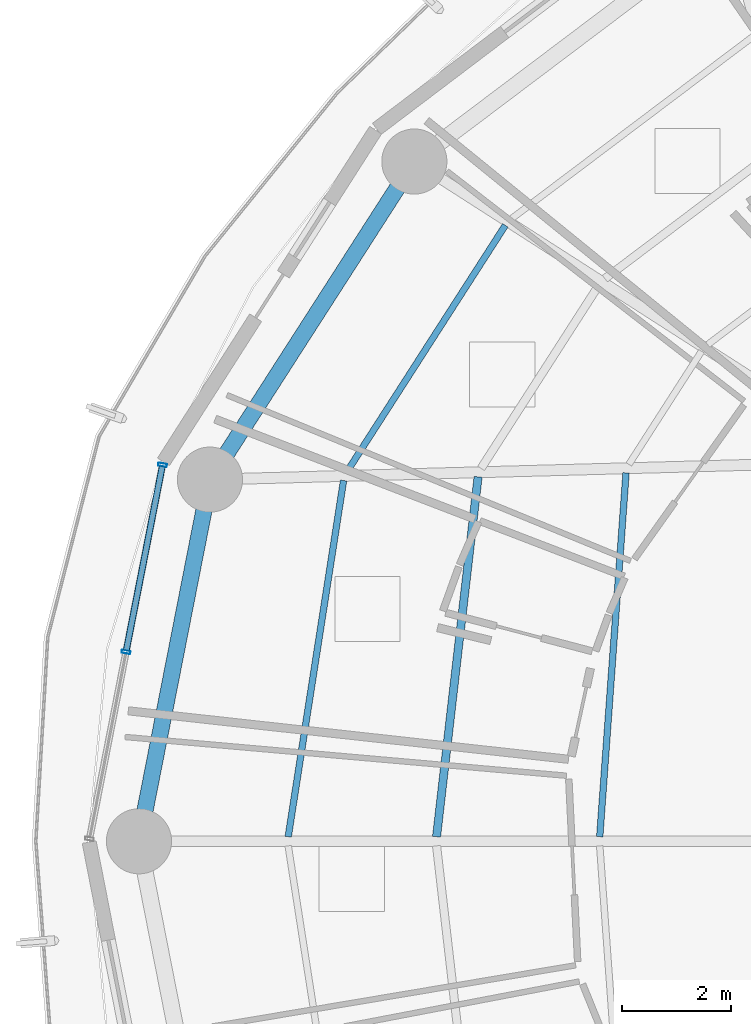
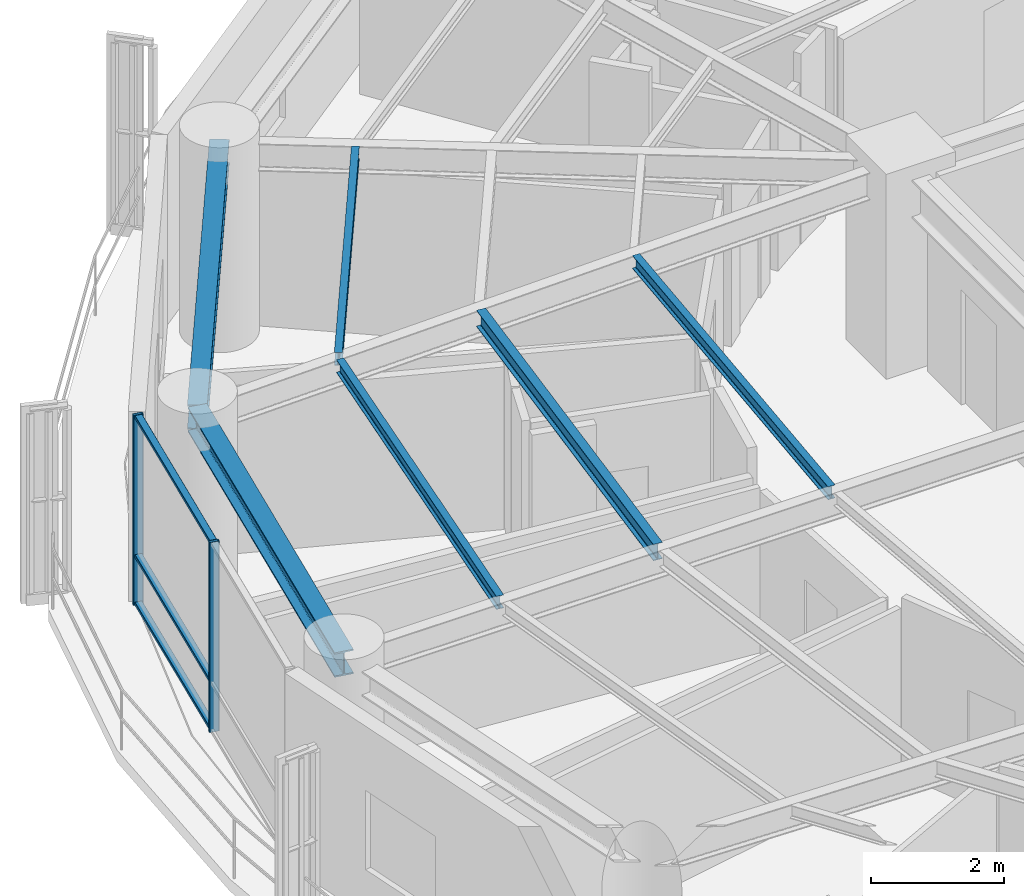
# One storey, part 8 of 27: 6 beams, 5 members, 1 element without a shape of its own.
"""IFC4 building model written with IfcOpenShell, lengths in metres."""

from ifc_helpers import new_model, si_unit, direction, frame, origin, origin_2d, place, context, subcontext, project, spatial, hollow_rectangle, i_section, extrude, material, layer, layer_set, material_profile, profile_set, type_object, element, aggregate, save


model = new_model("IFC4")

# Units and contexts
model_context = context("Model", 3, precision=1e-05, world=origin(), true_north=direction((0.0, 1.0)))
body_context = subcontext(model_context, "Body", "Model", "MODEL_VIEW")
ifc_project = project(units=[si_unit("LENGTHUNIT", "METRE"), si_unit("AREAUNIT", "SQUARE_METRE"), si_unit("VOLUMEUNIT", "CUBIC_METRE"), si_unit("PLANEANGLEUNIT", "RADIAN"), si_unit("MASSUNIT", "GRAM", prefix="KILO")], contexts=[model_context])

# Site, building, storey
site_placement = place(None, origin())
site = spatial("IfcSite", under=ifc_project, at=site_placement, CompositionType="ELEMENT")
building_placement = place(site_placement, origin())
building = spatial("IfcBuilding", under=site, at=building_placement, Name="Kelanora Arch Commons", CompositionType="ELEMENT")
storey_placement = place(building_placement, frame((0.0, 0.0, 165.60009765625)))
storey = spatial("IfcBuildingStorey", under=building, at=storey_placement, Name="L42", CompositionType="ELEMENT", Elevation=165.60009765625)

# Beams
ifc_material_1 = material(Name="Steel S355", Category="steel")
ifc_material_profile_1 = material_profile(ifc_material_1, i_section(OverallWidth=0.14990234375, OverallDepth=0.300048828125, WebThickness=0.007080078125, FlangeThickness=0.0107421875, FilletRadius=0.014892578125, at=origin_2d()), Name="IPE300")
ifc_profile_set_1 = profile_set([ifc_material_profile_1], Name="Steel S355")
beam_type_1 = type_object("IfcBeamType", Name="BM-JST-01", PredefinedType="JOIST", material=ifc_profile_set_1)
beam_1_placement = place(storey_placement, frame((58.56689453125, 64.713134765625, 3.33984375), z_axis=(-0.114667159005, -0.9934039675, 0.0), x_axis=(0.9934039675, -0.114667159005, 0.0)))
element("IfcBeam", 1, at=beam_1_placement, inside=storey, type_object=beam_type_1, Name="Secondary Chord Joist BJB-16 L42", PredefinedType="JOIST", context=body_context, shape_type="SweptSolid", body=[
    extrude(i_section(OverallWidth=0.14990234375, OverallDepth=0.300048828125, WebThickness=0.007080078125, FlangeThickness=0.0107421875, FilletRadius=0.014892578125, at=origin_2d()), origin(), (0.0, 0.0, 1.0), 6.672607421875),
])
ifc_material_profile_2 = material_profile(ifc_material_1, i_section(OverallWidth=0.1201171875, OverallDepth=0.239990234375, WebThickness=0.006103515625, FlangeThickness=0.009765625, FilletRadius=0.014892578125, at=origin_2d()), Name="IPE240")
ifc_profile_set_2 = profile_set([ifc_material_profile_2], Name="Steel S355")
beam_type_2 = type_object("IfcBeamType", Name="BM-JST-02", PredefinedType="JOIST", material=ifc_profile_set_2)
beam_2_placement = place(storey_placement, frame((59.06787109375, 69.345703125, 3.369873046875), z_axis=(-0.540581678156, -0.841291536414, 0.0), x_axis=(0.841291536414, -0.540581678156, 0.0)))
element("IfcBeam", 2, at=beam_2_placement, inside=storey, type_object=beam_type_2, Name="Secondary Chord Joist BJC-14 L42", PredefinedType="JOIST", context=body_context, shape_type="SweptSolid", body=[
    extrude(i_section(OverallWidth=0.1201171875, OverallDepth=0.239990234375, WebThickness=0.006103515625, FlangeThickness=0.009765625, FilletRadius=0.014892578125, at=origin_2d()), origin(), (0.0, 0.0, 1.0), 5.4013671875),
])
beam_3_placement = place(storey_placement, frame((61.292236328125, 64.787109375, 3.369873046875), z_axis=(-0.072117123738, -0.997396170267, 0.0), x_axis=(0.997396170267, -0.072117123738, 0.0)))
element("IfcBeam", 3, at=beam_3_placement, inside=storey, type_object=beam_type_2, Name="Secondary Chord Joist BJA-16 L42", PredefinedType="JOIST", context=body_context, shape_type="SweptSolid", body=[
    extrude(i_section(OverallWidth=0.1201171875, OverallDepth=0.239990234375, WebThickness=0.006103515625, FlangeThickness=0.009765625, FilletRadius=0.014892578125, at=origin_2d()), origin(), (0.0, 0.0, 1.0), 6.719970703125),
])
beam_4_placement = place(storey_placement, frame((56.0888671875, 64.64599609375, 3.369873046875), z_axis=(-0.153562625853, -0.988138917329, 0.0), x_axis=(0.988138917329, -0.153562625853, 0.0)))
element("IfcBeam", 4, at=beam_4_placement, inside=storey, type_object=beam_type_2, Name="Secondary Chord Joist BJC-16 L42", PredefinedType="JOIST", context=body_context, shape_type="SweptSolid", body=[
    extrude(i_section(OverallWidth=0.1201171875, OverallDepth=0.239990234375, WebThickness=0.006103515625, FlangeThickness=0.009765625, FilletRadius=0.014892578125, at=origin_2d()), origin(), (0.0, 0.0, 1.0), 6.640869140625),
])
ifc_material_profile_3 = material_profile(ifc_material_1, i_section(OverallWidth=0.300048828125, OverallDepth=0.449951171875, WebThickness=0.013916015625, FlangeThickness=0.02587890625, FilletRadius=0.027099609375, at=origin_2d()), Name="HEB450")
ifc_profile_set_3 = profile_set([ifc_material_profile_3], Name="Steel S355")
beam_type_3 = type_object("IfcBeamType", Name="BM-SPN-Z3", PredefinedType="SPANDREL", material=ifc_profile_set_3)
beam_5_placement = place(storey_placement, frame((57.39208984375, 70.521484375, 3.264892578125), z_axis=(-0.540576852469, -0.841294637196, 0.0), x_axis=(0.841294637196, -0.540576852469, 0.0)))
element("IfcBeam", 5, at=beam_5_placement, inside=storey, type_object=beam_type_3, Name="Perimeter Spandrel Beam BS-14 L42", PredefinedType="SPANDREL", context=body_context, shape_type="SweptSolid", body=[
    extrude(i_section(OverallWidth=0.300048828125, OverallDepth=0.449951171875, WebThickness=0.013916015625, FlangeThickness=0.02587890625, FilletRadius=0.027099609375, at=origin_2d()), origin(), (0.0, 0.0, 1.0), 6.964111328125),
])
beam_6_placement = place(storey_placement, frame((53.62744140625, 64.66259765625, 3.264892578125), z_axis=(-0.192553643556, -0.981286448675, 0.0), x_axis=(0.981286448675, -0.192553643556, 0.0)))
element("IfcBeam", 6, at=beam_6_placement, inside=storey, type_object=beam_type_3, Name="Perimeter Spandrel Beam BS-16 L42", PredefinedType="SPANDREL", context=body_context, shape_type="SweptSolid", body=[
    extrude(i_section(OverallWidth=0.300048828125, OverallDepth=0.449951171875, WebThickness=0.013916015625, FlangeThickness=0.02587890625, FilletRadius=0.027099609375, at=origin_2d()), origin(), (0.0, 0.0, 1.0), 6.78955078125),
])

# Curtain wall, members
ifc_material_2 = material(Name="Terracotta ceramic-fritted low-E glass and aluminium", Category="masonry")
ifc_layer = layer(ifc_material_2, 0.175048828125)
ifc_layer_set = layer_set([ifc_layer], Name="Terracotta ceramic-fritted low-E glass and aluminium")
curtain_wall_type = type_object("IfcCurtainWallType", Name="CW-SYS-02", PredefinedType="NOTDEFINED", material=ifc_layer_set)
curtain_wall_placement = place(storey_placement, origin())
curtain_wall = element("IfcCurtainWall", 7, at=curtain_wall_placement, inside=storey, type_object=curtain_wall_type, Name="Unitised Curtain Wall L42-B08", PredefinedType="NOTDEFINED")
ifc_material_3 = material(Name="Powder-coated aluminium terracotta", Category="masonry")
ifc_material_profile_4 = material_profile(ifc_material_3, hollow_rectangle(XDim=0.159912109375, YDim=0.06005859375, WallThickness=0.0048828125, InnerFilletRadius=0.0048828125, OuterFilletRadius=0.010009765625, at=origin_2d()), Name="CWM160x60")
ifc_profile_set_4 = profile_set([ifc_material_profile_4], Name="Powder-coated aluminium terracotta")
member_type_1 = type_object("IfcMemberType", Name="CWM-STD", PredefinedType="MULLION", material=ifc_profile_set_4)
member_1_placement = place(storey_placement, frame((52.754150390625, 64.93310546875, 0.0), z_axis=(0.0, 0.0, 1.0), x_axis=(0.981452557718, -0.191705182375, 0.0)))
member_1 = element("IfcMember", 8, at=member_1_placement, type_object=member_type_1, Name="CW-02 mullion 1", PredefinedType="MULLION", context=body_context, shape_type="SweptSolid", body=[
    extrude(hollow_rectangle(XDim=0.159912109375, YDim=0.06005859375, WallThickness=0.0048828125, InnerFilletRadius=0.0048828125, OuterFilletRadius=0.010009765625, at=origin_2d()), origin(), (0.0, 0.0, 1.0), 3.474853515625),
])
member_2_placement = place(storey_placement, frame((52.08154296875, 61.488525390625, 0.0), z_axis=(0.0, 0.0, 1.0), x_axis=(0.981452557718, -0.191705182375, 0.0)))
member_2 = element("IfcMember", 9, at=member_2_placement, type_object=member_type_1, Name="CW-02 mullion 2", PredefinedType="MULLION", context=body_context, shape_type="SweptSolid", body=[
    extrude(hollow_rectangle(XDim=0.159912109375, YDim=0.06005859375, WallThickness=0.0048828125, InnerFilletRadius=0.0048828125, OuterFilletRadius=0.010009765625, at=origin_2d()), origin(), (0.0, 0.0, 1.0), 3.474853515625),
])
ifc_material_profile_5 = material_profile(ifc_material_3, hollow_rectangle(XDim=0.1201171875, YDim=0.06005859375, WallThickness=0.0048828125, InnerFilletRadius=0.0048828125, OuterFilletRadius=0.010009765625, at=origin_2d()), Name="CWT120x60")
ifc_profile_set_5 = profile_set([ifc_material_profile_5], Name="Powder-coated aluminium terracotta")
member_type_2 = type_object("IfcMemberType", Name="CWT-STD", PredefinedType="USERDEFINED", material=ifc_profile_set_5)
member_3_placement = place(storey_placement, frame((52.74853515625, 64.903564453125, 0.02978515625), z_axis=(-0.191731523726, -0.981447412147, 0.0), x_axis=(0.981447412147, -0.191731523726, 0.0)))
member_3 = element("IfcMember", 10, at=member_3_placement, type_object=member_type_2, Name="CW-02 transom 1.1", ObjectType="TRANSOM", PredefinedType="USERDEFINED", context=body_context, shape_type="SweptSolid", body=[
    extrude(hollow_rectangle(XDim=0.1201171875, YDim=0.06005859375, WallThickness=0.0048828125, InnerFilletRadius=0.0048828125, OuterFilletRadius=0.010009765625, at=origin_2d()), origin(), (0.0, 0.0, 1.0), 3.449462890625),
])
member_4_placement = place(storey_placement, frame((52.74853515625, 64.903564453125, 0.89990234375), z_axis=(-0.191731523726, -0.981447412147, 0.0), x_axis=(0.981447412147, -0.191731523726, 0.0)))
member_4 = element("IfcMember", 11, at=member_4_placement, type_object=member_type_2, Name="CW-02 transom 1.2", ObjectType="TRANSOM", PredefinedType="USERDEFINED", context=body_context, shape_type="SweptSolid", body=[
    extrude(hollow_rectangle(XDim=0.1201171875, YDim=0.06005859375, WallThickness=0.0048828125, InnerFilletRadius=0.0048828125, OuterFilletRadius=0.010009765625, at=origin_2d()), origin(), (0.0, 0.0, 1.0), 3.449462890625),
])
member_5_placement = place(storey_placement, frame((52.74853515625, 64.903564453125, 3.44482421875), z_axis=(-0.191731523726, -0.981447412147, 0.0), x_axis=(0.981447412147, -0.191731523726, 0.0)))
member_5 = element("IfcMember", 12, at=member_5_placement, type_object=member_type_2, Name="CW-02 transom 1.3", ObjectType="TRANSOM", PredefinedType="USERDEFINED", context=body_context, shape_type="SweptSolid", body=[
    extrude(hollow_rectangle(XDim=0.1201171875, YDim=0.06005859375, WallThickness=0.0048828125, InnerFilletRadius=0.0048828125, OuterFilletRadius=0.010009765625, at=origin_2d()), origin(), (0.0, 0.0, 1.0), 3.449462890625),
])
aggregate(curtain_wall, [member_1, member_2, member_3, member_4, member_5])

save(model, "model.ifc")
